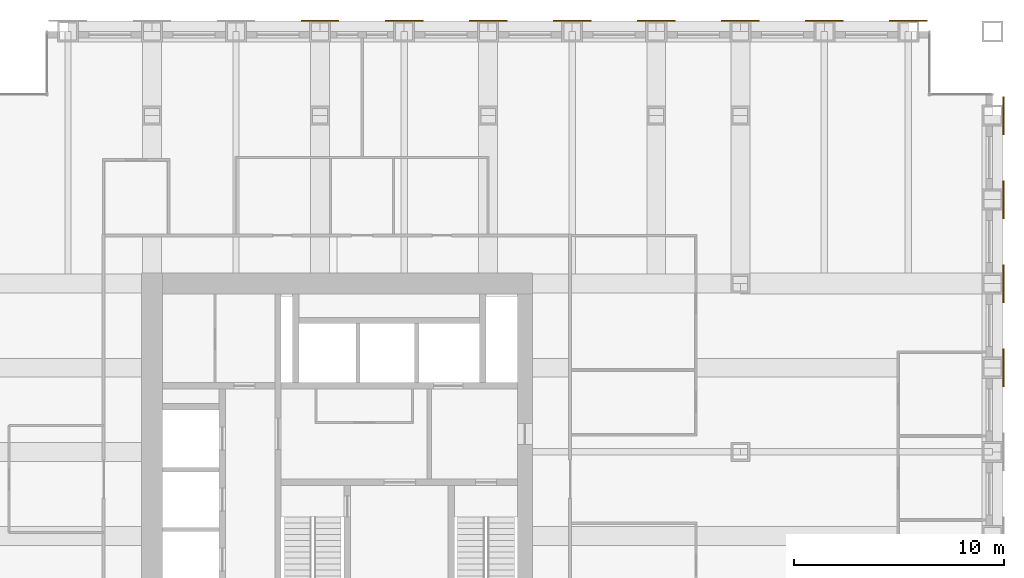
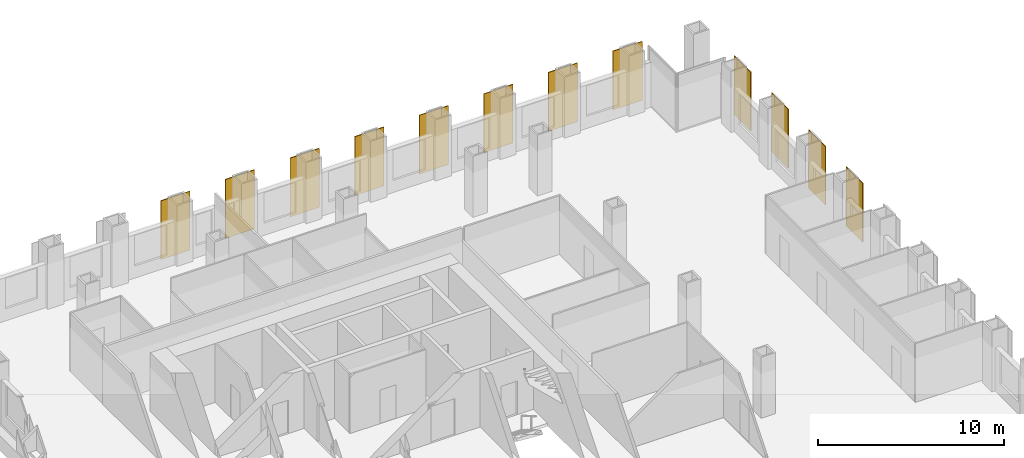
# One storey, part 16 of 16: 12 shading devices.
"""IFC4 building model written with IfcOpenShell, lengths in metres."""

from ifc_helpers import new_model, si_unit, direction, frame, origin, origin_2d, place, context, subcontext, project, spatial, rectangle, extrude, material, layer, layer_set, type_object, element, save


model = new_model("IFC4")

# Units and contexts
model_context = context("Model", 3, precision=1e-05, world=origin(), true_north=direction((0.0, 1.0)))
body_context = subcontext(model_context, "Body", "Model", "MODEL_VIEW")
ifc_project = project(units=[si_unit("LENGTHUNIT", "METRE"), si_unit("AREAUNIT", "SQUARE_METRE"), si_unit("VOLUMEUNIT", "CUBIC_METRE"), si_unit("PLANEANGLEUNIT", "RADIAN"), si_unit("MASSUNIT", "GRAM", prefix="KILO")], contexts=[model_context])

# Site, building, storey
site_placement = place(None, origin())
site = spatial("IfcSite", under=ifc_project, at=site_placement, CompositionType="ELEMENT")
building_placement = place(site_placement, origin())
building = spatial("IfcBuilding", under=site, at=building_placement, Name="Rimbunsela Tower", CompositionType="ELEMENT")
storey_placement = place(building_placement, frame((0.0, 0.0, 81.39990234375)))
storey = spatial("IfcBuildingStorey", under=building, at=storey_placement, Name="L19", CompositionType="ELEMENT", Elevation=81.39990234375)

# Shading devices
ifc_material = material(Name="Perforated aluminium, 35 % open area", Category="aluminium")
ifc_layer = layer(ifc_material, 0.050048828125)
ifc_layer_set = layer_set([ifc_layer], Name="Solar screen panel 1800")
shading_device_type = type_object("IfcShadingDeviceType", Name="Solar screen panel 1800", PredefinedType="USERDEFINED", material=ifc_layer_set)
for number, where, z_axis, x_axis, name in (
    (1, (58.52490234375, 32.0, 0.0), (0.0, 0.0, 1.0), (0.0, 1.0, 0.0), "Solar screen E L19"),
    (2, (58.52490234375, 36.0, 0.0), (0.0, 0.0, 1.0), (0.0, 1.0, 0.0), "Solar screen E L19"),
    (3, (58.52490234375, 40.0, 0.0), (0.0, 0.0, 1.0), (0.0, 1.0, 0.0), "Solar screen E L19"),
    (4, (58.52490234375, 44.0, 0.0), (0.0, 0.0, 1.0), (0.0, 1.0, 0.0), "Solar screen E L19"),
    (5, (26.0, 48.52490234375, 0.0), (0.0, 0.0, 1.0), (1.0, 0.0, 0.0), "Solar screen N L19"),
    (6, (30.0, 48.52490234375, 0.0), (0.0, 0.0, 1.0), (1.0, 0.0, 0.0), "Solar screen N L19"),
    (7, (34.0, 48.52490234375, 0.0), (0.0, 0.0, 1.0), (1.0, 0.0, 0.0), "Solar screen N L19"),
    (8, (38.0, 48.52490234375, 0.0), (0.0, 0.0, 1.0), (1.0, 0.0, 0.0), "Solar screen N L19"),
    (9, (42.0, 48.52490234375, 0.0), (0.0, 0.0, 1.0), (1.0, 0.0, 0.0), "Solar screen N L19"),
    (10, (46.0, 48.52490234375, 0.0), (0.0, 0.0, 1.0), (1.0, 0.0, 0.0), "Solar screen N L19"),
    (11, (50.0, 48.52490234375, 0.0), (0.0, 0.0, 1.0), (1.0, 0.0, 0.0), "Solar screen N L19"),
    (12, (54.0, 48.52490234375, 0.0), (0.0, 0.0, 1.0), (1.0, 0.0, 0.0), "Solar screen N L19"),
):
    element("IfcShadingDevice", number, at=place(storey_placement, frame(where, z_axis=z_axis, x_axis=x_axis)), inside=storey, type_object=shading_device_type, Name=name, ObjectType="SCREEN", PredefinedType="USERDEFINED", context=body_context, shape_type="SweptSolid", body=[
        extrude(rectangle(XDim=1.800048828125, YDim=0.050048828125, at=origin_2d()), origin(), (0.0, 0.0, 1.0), 3.85009765625),
    ])

save(model, "model.ifc")
